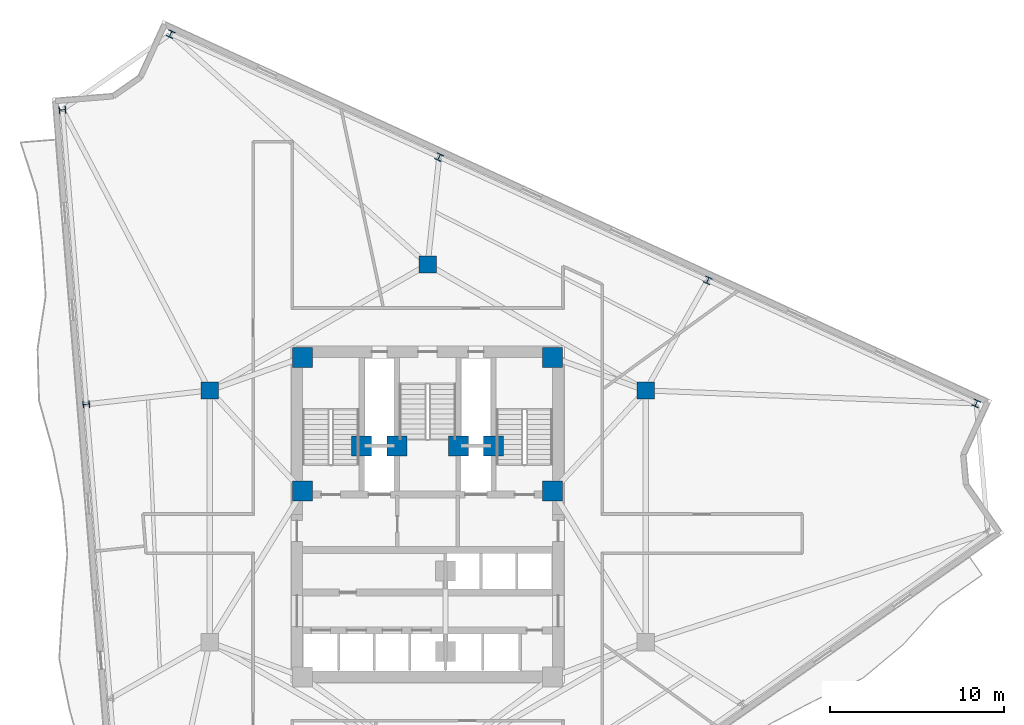
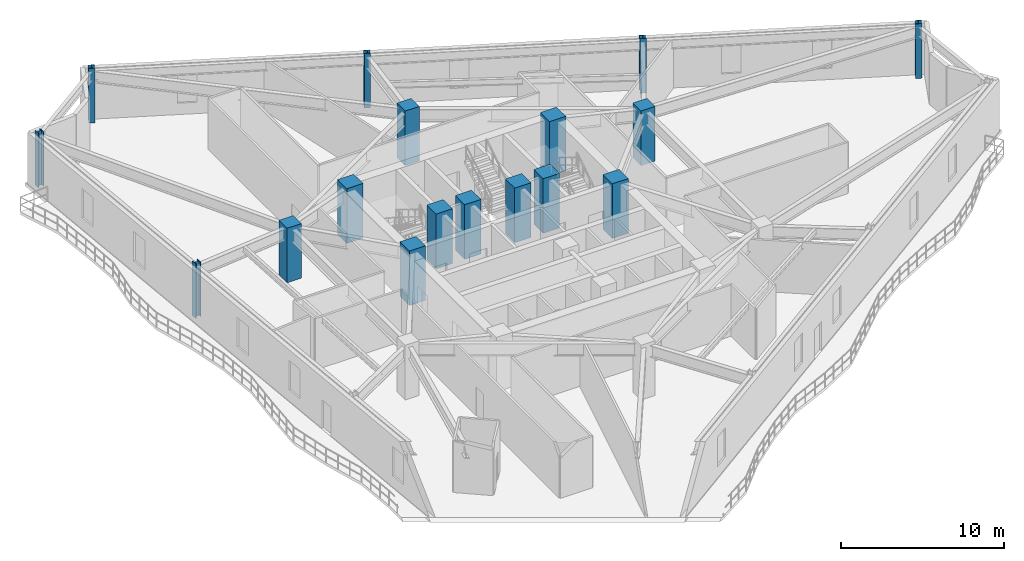
# One storey, part 2 of 10: 17 columns.
"""IFC4 building model written with IfcOpenShell, lengths in metres."""

from ifc_helpers import new_model, si_unit, direction, frame, origin, origin_2d, place, context, subcontext, project, spatial, rectangle, i_section, extrude, material, material_profile, profile_set, type_object, element, save


model = new_model("IFC4")

# Units and contexts
model_context = context("Model", 3, precision=1e-05, world=origin(), true_north=direction((0.0, 1.0)))
body_context = subcontext(model_context, "Body", "Model", "MODEL_VIEW")
ifc_project = project(units=[si_unit("LENGTHUNIT", "METRE"), si_unit("AREAUNIT", "SQUARE_METRE"), si_unit("VOLUMEUNIT", "CUBIC_METRE"), si_unit("PLANEANGLEUNIT", "RADIAN"), si_unit("MASSUNIT", "GRAM", prefix="KILO")], contexts=[model_context])

# Site, building, storey
site_placement = place(None, origin())
site = spatial("IfcSite", under=ifc_project, at=site_placement, CompositionType="ELEMENT")
building_placement = place(site_placement, origin())
building = spatial("IfcBuilding", under=site, at=building_placement, Name="Apsidion Concourse Tower", CompositionType="ELEMENT")
storey_placement = place(building_placement, frame((0.0, 0.0, 218.800048828125)))
storey = spatial("IfcBuildingStorey", under=building, at=storey_placement, Name="L51", CompositionType="ELEMENT", Elevation=218.800048828125)

# Columns
ifc_material_1 = material(Name="Concrete C50/60", Category="concrete")
ifc_material_profile_1 = material_profile(ifc_material_1, rectangle(XDim=1.0, YDim=1.0, at=origin_2d()), Name="RC 1000x1000")
ifc_profile_set_1 = profile_set([ifc_material_profile_1], Name="Concrete C50/60")
column_type_1 = type_object("IfcColumnType", Name="COL-RC-1000", PredefinedType="COLUMN", material=ifc_profile_set_1)
for number, where, z_axis, x_axis, name in (
    (1, (12.56005859375, 7.25, 0.0), (0.0, 0.0, 1.0), (1.0, 0.0, 0.0), "L51 Interior Spine Column IC3"),
    (2, (0.0, 14.5, 0.0), (0.0, 0.0, 1.0), (1.0, 0.0, 0.0), "L51 Interior Spine Column IC4"),
    (3, (-12.56005859375, 7.25, 0.0), (0.0, 0.0, 1.0), (1.0, 0.0, 0.0), "L51 Interior Spine Column IC5"),
):
    element("IfcColumn", number, at=place(storey_placement, frame(where, z_axis=z_axis, x_axis=x_axis)), inside=storey, type_object=column_type_1, Name=name, PredefinedType="COLUMN", context=body_context, shape_type="SweptSolid", body=[
        extrude(rectangle(XDim=1.0, YDim=1.0, at=origin_2d()), origin(), (0.0, 0.0, 1.0), 4.099853515625),
    ])
ifc_material_profile_2 = material_profile(ifc_material_1, rectangle(XDim=1.14990234375, YDim=1.14990234375, at=origin_2d()), Name="RC 1150x1150")
ifc_profile_set_2 = profile_set([ifc_material_profile_2], Name="Concrete C50/60")
column_type_2 = type_object("IfcColumnType", Name="COL-RC-1150", PredefinedType="COLUMN", material=ifc_profile_set_2)
for number, where, z_axis, x_axis, name in (
    (4, (7.199951171875, 1.449951171875, 0.0), (0.0, 0.0, 1.0), (1.0, 0.0, 0.0), "L51 Core Super-Column SC3"),
    (5, (7.199951171875, 9.14990234375, 0.0), (0.0, 0.0, 1.0), (1.0, 0.0, 0.0), "L51 Core Super-Column SC4"),
    (6, (-7.199951171875, 9.14990234375, 0.0), (0.0, 0.0, 1.0), (1.0, 0.0, 0.0), "L51 Core Super-Column SC5"),
    (7, (-7.199951171875, 1.449951171875, 0.0), (0.0, 0.0, 1.0), (1.0, 0.0, 0.0), "L51 Core Super-Column SC6"),
    (8, (-3.800048828125, 4.050048828125, 0.0), (0.0, 0.0, 1.0), (1.0, 0.0, 0.0), "L51 Core Super-Column CC1"),
    (9, (3.800048828125, 4.050048828125, 0.0), (0.0, 0.0, 1.0), (1.0, 0.0, 0.0), "L51 Core Super-Column CC2"),
    (10, (-1.77490234375, 4.050048828125, 0.0), (0.0, 0.0, 1.0), (1.0, 0.0, 0.0), "L51 Core Super-Column CC3"),
    (11, (1.77490234375, 4.050048828125, 0.0), (0.0, 0.0, 1.0), (1.0, 0.0, 0.0), "L51 Core Super-Column CC4"),
):
    element("IfcColumn", number, at=place(storey_placement, frame(where, z_axis=z_axis, x_axis=x_axis)), inside=storey, type_object=column_type_2, Name=name, PredefinedType="COLUMN", context=body_context, shape_type="SweptSolid", body=[
        extrude(rectangle(XDim=1.14990234375, YDim=1.14990234375, at=origin_2d()), origin(), (0.0, 0.0, 1.0), 4.099853515625),
    ])
ifc_material_2 = material(Name="Structural steel ASTM A992 Grade 50", Category="steel")
ifc_material_profile_3 = material_profile(ifc_material_2, i_section(OverallWidth=0.39892578125, OverallDepth=0.385986328125, WebThickness=0.02099609375, FlangeThickness=0.033203125, at=origin_2d()), Name="W14X176")
ifc_profile_set_3 = profile_set([ifc_material_profile_3], Name="Structural steel ASTM A992 Grade 50")
column_type_3 = type_object("IfcColumnType", Name="COL-W14-176", PredefinedType="COLUMN", material=ifc_profile_set_3)
for number, where, z_axis, x_axis, name in (
    (12, (-21.03759765625, 23.412841796875, 0.0), (0.0, 0.0, 1.0), (-0.080720825512, 0.996736749763, 0.0), "L51 Rotated Perimeter Column PC01"),
    (13, (-19.66357421875, 6.451171875, 0.0), (0.0, 0.0, 1.0), (-0.080720825512, 0.996736749763, 0.0), "L51 Rotated Perimeter Column PC02"),
    (14, (31.600830078125, 6.499267578125, 0.0), (0.0, 0.0, 1.0), (-0.909018020308, 0.416756810089, 0.0), "L51 Rotated Perimeter Column PC09"),
    (15, (16.132080078125, 13.591796875, 0.0), (0.0, 0.0, 1.0), (-0.909018020308, 0.416756810089, 0.0), "L51 Rotated Perimeter Column PC10"),
    (16, (0.663330078125, 20.68408203125, 0.0), (0.0, 0.0, 1.0), (-0.909018020308, 0.416756810089, 0.0), "L51 Rotated Perimeter Column PC11"),
    (17, (-14.805419921875, 27.776611328125, 0.0), (0.0, 0.0, 1.0), (-0.909018020308, 0.416756810089, 0.0), "L51 Rotated Perimeter Column PC12"),
):
    element("IfcColumn", number, at=place(storey_placement, frame(where, z_axis=z_axis, x_axis=x_axis)), inside=storey, type_object=column_type_3, Name=name, PredefinedType="COLUMN", context=body_context, shape_type="SweptSolid", body=[
        extrude(i_section(OverallWidth=0.39892578125, OverallDepth=0.385986328125, WebThickness=0.02099609375, FlangeThickness=0.033203125, at=origin_2d()), origin(), (0.0, 0.0, 1.0), 4.099853515625),
    ])

save(model, "model.ifc")
